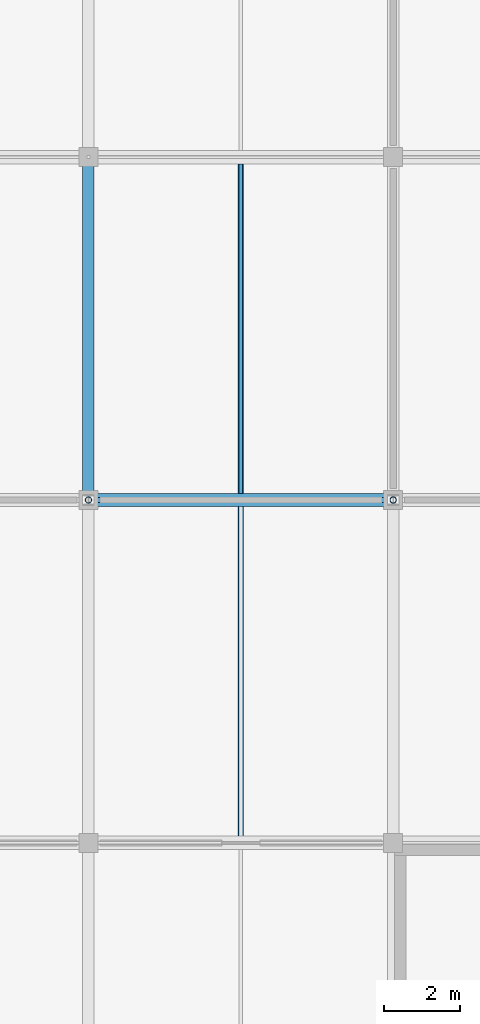
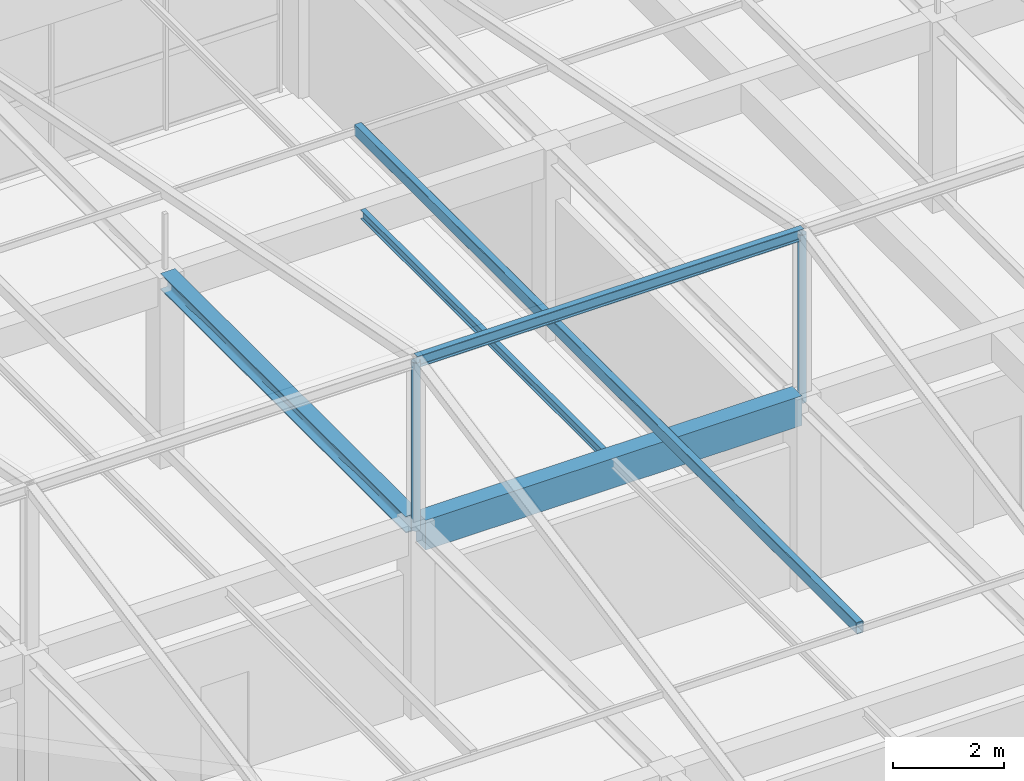
# One storey, part 16 of 65: 4 beams, 3 members.
"""IFC4 building model written with IfcOpenShell, lengths in metres."""

from ifc_helpers import new_model, si_unit, direction, frame, origin, origin_2d, place, context, subcontext, project, spatial, rectangle, hollow_rectangle, hollow_circle, i_section, extrude, material, material_profile, profile_set, type_object, element, save


model = new_model("IFC4")

# Units and contexts
model_context = context("Model", 3, precision=1e-05, world=origin(), true_north=direction((0.0, 1.0)))
body_context = subcontext(model_context, "Body", "Model", "MODEL_VIEW")
ifc_project = project(units=[si_unit("LENGTHUNIT", "METRE"), si_unit("AREAUNIT", "SQUARE_METRE"), si_unit("VOLUMEUNIT", "CUBIC_METRE"), si_unit("PLANEANGLEUNIT", "RADIAN"), si_unit("MASSUNIT", "GRAM", prefix="KILO")], contexts=[model_context])

# Site, building, storey
site_placement = place(None, origin())
site = spatial("IfcSite", under=ifc_project, at=site_placement, CompositionType="ELEMENT")
building_placement = place(site_placement, origin())
building = spatial("IfcBuilding", under=site, at=building_placement, Name="Varnabhumi Central Station", CompositionType="ELEMENT")
storey_placement = place(building_placement, frame((0.0, 0.0, 24.60009765625)))
storey = spatial("IfcBuildingStorey", under=building, at=storey_placement, Name="L05", CompositionType="ELEMENT", Elevation=24.60009765625)

# Beams
ifc_material_1 = material(Name="Structural steel E350", Category="steel")
ifc_material_profile_1 = material_profile(ifc_material_1, i_section(OverallWidth=0.125, OverallDepth=0.25, WebThickness=0.0068359375, FlangeThickness=0.012451171875, FilletRadius=0.012939453125, at=origin_2d()), Name="Structural steel E350", Category="steel")
ifc_profile_set_1 = profile_set([ifc_material_profile_1], Name="Structural steel E350")
beam_type_1 = type_object("IfcBeamType", Name="BM-PUR-ISMB250", PredefinedType="JOIST", material=ifc_profile_set_1)
beam_1_placement = place(storey_placement, frame((80.0, 18.0, 7.6298828125), z_axis=(1.0, 0.0, 0.0), x_axis=(0.0, 1.0, 0.0)))
element("IfcBeam", 1, at=beam_1_placement, inside=storey, type_object=beam_type_1, Name="Mission Roof Ridge Beam SW6E-7", PredefinedType="JOIST", context=body_context, shape_type="SweptSolid", body=[
    extrude(i_section(OverallWidth=0.125, OverallDepth=0.25, WebThickness=0.0068359375, FlangeThickness=0.012451171875, FilletRadius=0.012939453125, at=origin_2d()), origin(), (0.0, 0.0, 1.0), 8.0),
])
ifc_material_2 = material(Name="Concrete M40", Category="concrete")
ifc_material_profile_2 = material_profile(ifc_material_2, rectangle(XDim=0.35009765625, YDim=0.64990234375, at=origin_2d()), Name="Concrete M40", Category="concrete")
ifc_profile_set_2 = profile_set([ifc_material_profile_2], Name="Concrete M40")
beam_type_2 = type_object("IfcBeamType", Name="BM-RC-350x650", PredefinedType="BEAM", material=ifc_profile_set_2)
beam_2_placement = place(storey_placement, frame((80.10009765625, 18.0, 3.875), z_axis=(1.0, 0.0, 0.0), x_axis=(0.0, 1.0, 0.0)))
element("IfcBeam", 2, at=beam_2_placement, inside=storey, type_object=beam_type_2, Name="Beam L05-C:11-12", PredefinedType="BEAM", context=body_context, shape_type="SweptSolid", body=[
    extrude(rectangle(XDim=0.35009765625, YDim=0.64990234375, at=origin_2d()), origin(), (0.0, 0.0, 1.0), 7.7998046875),
])
ifc_material_profile_3 = material_profile(ifc_material_1, i_section(OverallWidth=0.10009765625, OverallDepth=0.199951171875, WebThickness=0.005615234375, FlangeThickness=0.0107421875, FilletRadius=0.010986328125, at=origin_2d()), Name="Structural steel E350", Category="steel")
ifc_profile_set_3 = profile_set([ifc_material_profile_3], Name="Structural steel E350")
beam_type_3 = type_object("IfcBeamType", Name="BM-STL-ISMB200", PredefinedType="JOIST", material=ifc_profile_set_3)
beam_3_placement = place(storey_placement, frame((84.0, 18.175048828125, 4.099853515625), z_axis=(0.0, 1.0, 0.0), x_axis=(-1.0, 0.0, 0.0)))
element("IfcBeam", 3, at=beam_3_placement, inside=storey, type_object=beam_type_3, Name="Secondary Joist L05-11/12:C-D", PredefinedType="JOIST", context=body_context, shape_type="SweptSolid", body=[
    extrude(i_section(OverallWidth=0.10009765625, OverallDepth=0.199951171875, WebThickness=0.005615234375, FlangeThickness=0.0107421875, FilletRadius=0.010986328125, at=origin_2d()), origin(), (0.0, 0.0, 1.0), 8.64990234375),
])
ifc_material_profile_4 = material_profile(ifc_material_1, i_section(OverallWidth=0.300048828125, OverallDepth=0.360107421875, WebThickness=0.012451171875, FlangeThickness=0.0224609375, FilletRadius=0.027099609375, at=origin_2d()), Name="Structural steel E350", Category="steel")
ifc_profile_set_4 = profile_set([ifc_material_profile_4], Name="Structural steel E350")
beam_type_4 = type_object("IfcBeamType", Name="BM-STL-WPB360", PredefinedType="BEAM", material=ifc_profile_set_4)
beam_4_placement = place(storey_placement, frame((80.0, 18.10009765625, 4.02001953125), z_axis=(0.0, 1.0, 0.0), x_axis=(-1.0, 0.0, 0.0)))
element("IfcBeam", 4, at=beam_4_placement, inside=storey, type_object=beam_type_4, Name="Beam L05-11:C-D", PredefinedType="BEAM", context=body_context, shape_type="SweptSolid", body=[
    extrude(i_section(OverallWidth=0.300048828125, OverallDepth=0.360107421875, WebThickness=0.012451171875, FlangeThickness=0.0224609375, FilletRadius=0.027099609375, at=origin_2d()), origin(), (0.0, 0.0, 1.0), 8.7998046875),
])

# Members
ifc_material_profile_5 = material_profile(ifc_material_1, hollow_rectangle(XDim=0.14990234375, YDim=0.25, WallThickness=0.010009765625, InnerFilletRadius=0.010009765625, OuterFilletRadius=0.02001953125, at=origin_2d()), Name="Structural steel E350", Category="steel")
ifc_profile_set_5 = profile_set([ifc_material_profile_5], Name="Structural steel E350")
member_type_1 = type_object("IfcMemberType", Name="MBR-COLLAR-RHS", PredefinedType="COLLAR", material=ifc_profile_set_5)
member_placement = place(storey_placement, frame((84.0, 9.0, 5.844970703125), z_axis=(0.0, 1.0, 0.0), x_axis=(-1.0, 0.0, 0.0)))
element("IfcMember", 5, at=member_placement, inside=storey, type_object=member_type_1, Name="Mission Roof Collar Tie SW6E-7", PredefinedType="COLLAR", context=body_context, shape_type="SweptSolid", body=[
    extrude(hollow_rectangle(XDim=0.14990234375, YDim=0.25, WallThickness=0.010009765625, InnerFilletRadius=0.010009765625, OuterFilletRadius=0.02001953125, at=origin_2d()), origin(), (0.0, 0.0, 1.0), 18.0),
])
ifc_material_profile_6 = material_profile(ifc_material_1, hollow_circle(Radius=0.084228515625, WallThickness=0.008056640625, at=origin_2d()), Name="Structural steel E350", Category="steel")
ifc_profile_set_6 = profile_set([ifc_material_profile_6], Name="Structural steel E350")
member_type_2 = type_object("IfcMemberType", Name="MBR-STRUT-CHS168", PredefinedType="STRUT", material=ifc_profile_set_6)
for number, where, z_axis, x_axis, name in (
    (6, (80.0, 18.0, 3.949951171875), (0.0, 0.0, 1.0), (1.0, 0.0, 0.0), "Mission Roof King Strut SW6E-7"),
    (7, (88.0, 18.0, 3.949951171875), (0.0, 0.0, 1.0), (1.0, 0.0, 0.0), "Mission Roof King Strut SW6E-8"),
):
    element("IfcMember", number, at=place(storey_placement, frame(where, z_axis=z_axis, x_axis=x_axis)), inside=storey, type_object=member_type_2, Name=name, PredefinedType="STRUT", context=body_context, shape_type="SweptSolid", body=[
        extrude(hollow_circle(Radius=0.084228515625, WallThickness=0.008056640625, at=origin_2d()), origin(), (0.0, 0.0, 1.0), 3.679931640625),
    ])

save(model, "model.ifc")
